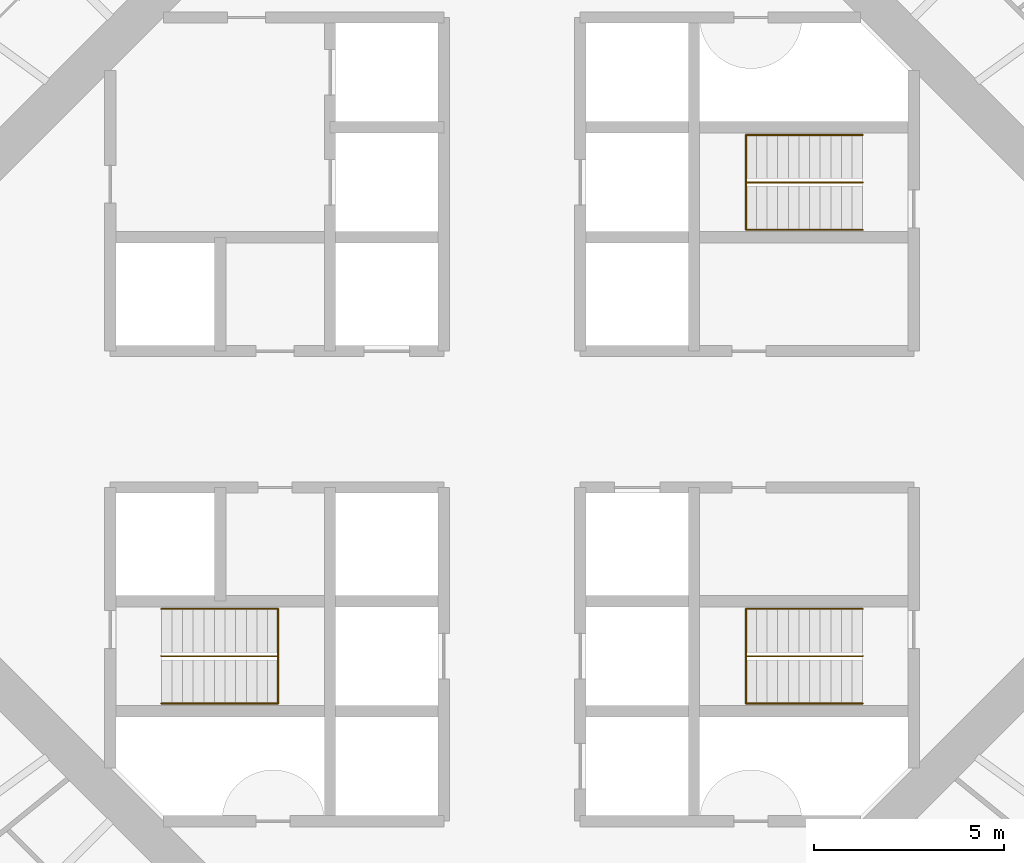
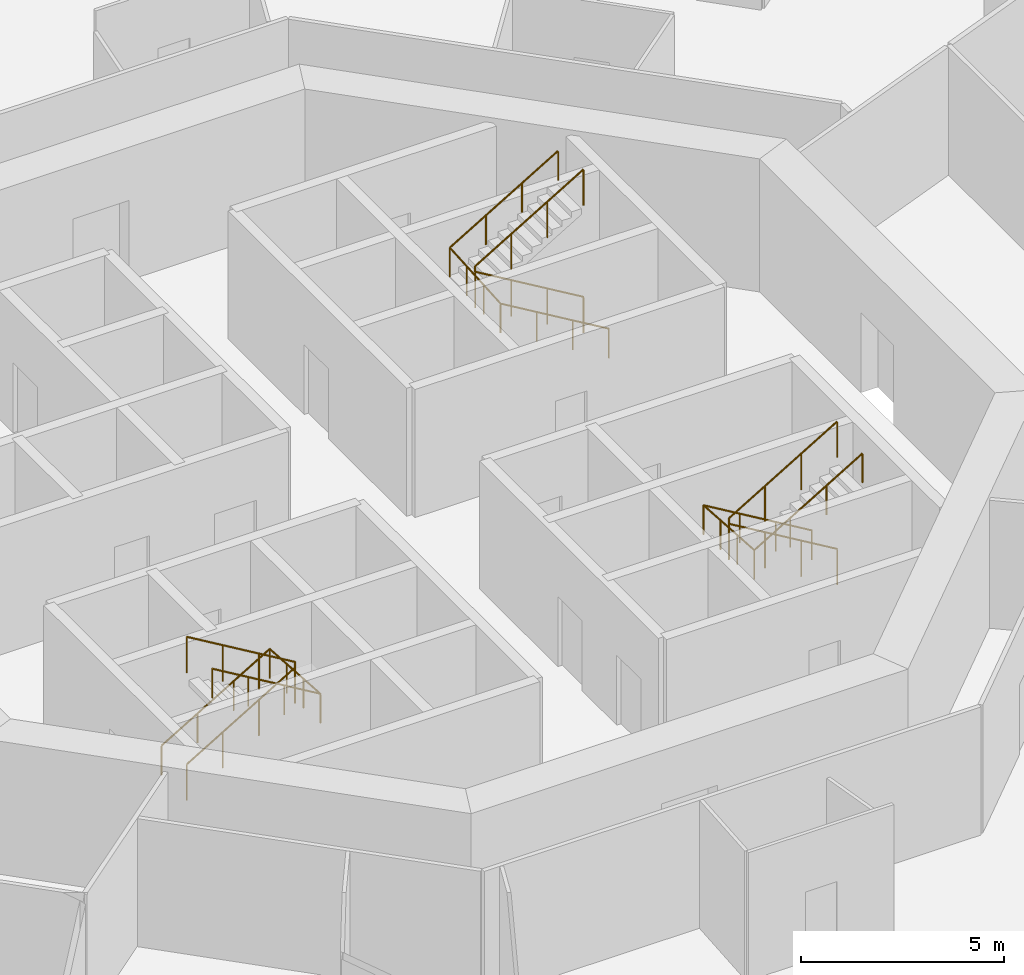
# One storey, part 12 of 12: 6 railings.
"""IFC4 building model written with IfcOpenShell, lengths in metres."""

from ifc_helpers import new_model, si_unit, direction, frame, origin, origin_2d, place, context, subcontext, project, spatial, circle, extrude, material, type_object, element, save


model = new_model("IFC4")

# Units and contexts
model_context = context("Model", 3, precision=1e-05, world=origin(), true_north=direction((0.0, 1.0)))
body_context = subcontext(model_context, "Body", "Model", "MODEL_VIEW")
ifc_project = project(units=[si_unit("LENGTHUNIT", "METRE"), si_unit("AREAUNIT", "SQUARE_METRE"), si_unit("VOLUMEUNIT", "CUBIC_METRE"), si_unit("PLANEANGLEUNIT", "RADIAN"), si_unit("MASSUNIT", "GRAM", prefix="KILO")], contexts=[model_context])

# Site, building, storey
site_placement = place(None, origin())
site = spatial("IfcSite", under=ifc_project, at=site_placement, CompositionType="ELEMENT")
building_placement = place(site_placement, origin())
building = spatial("IfcBuilding", under=site, at=building_placement, Name="Entoto Ring Tower", CompositionType="ELEMENT")
storey_placement = place(building_placement, frame((0.0, 0.0, 196.0)))
storey = spatial("IfcBuildingStorey", under=building, at=storey_placement, Name="L45", CompositionType="ELEMENT", Elevation=196.0)

# Railings
ifc_material_1 = material(Name="Steel S275", Category="steel")
railing_type_1 = type_object("IfcRailingType", Name="Stair guard 1100 mm steel", PredefinedType="GUARDRAIL", material=ifc_material_1)
railing_1_placement = place(storey_placement, frame((99.25, 86.25, 0.166748046875)))
element("IfcRailing", 1, at=railing_1_placement, inside=storey, type_object=railing_type_1, Name="Guard ST1", PredefinedType="GUARDRAIL", context=body_context, shape_type="SweptSolid", body=[
    extrude(circle(Radius=0.02392578125, at=origin_2d()), frame((0.0, 0.0, 1.076171875), z_axis=(-0.859308565015, 0.0, 0.511457515432), x_axis=(0.0, -1.0, 0.0)), (0.0, 0.0, 1.0), 3.58447265625),
    extrude(circle(Radius=0.02392578125, at=origin_2d()), frame((-3.080078125, 0.0, 2.9091796875), z_axis=(0.0, 0.0, 1.0), x_axis=(1.0, 0.0, 0.0)), (0.0, 0.0, 1.0), 0.166748046875),
    extrude(circle(Radius=0.02392578125, at=origin_2d()), frame((-3.080078125, 0.0, 3.076171875), z_axis=(0.859308565015, 0.0, 0.511457515432), x_axis=(0.0, 1.0, 0.0)), (0.0, 0.0, 1.0), 3.58447265625),
    extrude(circle(Radius=0.02099609375, at=origin_2d()), origin(), (0.0, 0.0, 1.0), 1.052001953125),
    extrude(circle(Radius=0.02099609375, at=origin_2d()), frame((-1.026611328125, 0.0, 0.611083984375)), (0.0, 0.0, 1.0), 1.052001953125),
    extrude(circle(Radius=0.02099609375, at=origin_2d()), frame((-2.053466796875, 0.0, 1.22216796875)), (0.0, 0.0, 1.0), 1.052001953125),
    extrude(circle(Radius=0.02099609375, at=origin_2d()), frame((-3.080078125, 0.0, 1.833251953125)), (0.0, 0.0, 1.0), 1.052001953125),
    extrude(circle(Radius=0.02099609375, at=origin_2d()), frame((-3.080078125, 0.0, 2.0)), (0.0, 0.0, 1.0), 1.052001953125),
    extrude(circle(Radius=0.02099609375, at=origin_2d()), frame((-2.053466796875, 0.0, 2.611083984375)), (0.0, 0.0, 1.0), 1.052001953125),
    extrude(circle(Radius=0.02099609375, at=origin_2d()), frame((-1.026611328125, 0.0, 3.22216796875)), (0.0, 0.0, 1.0), 1.052001953125),
    extrude(circle(Radius=0.02099609375, at=origin_2d()), frame((0.0, 0.0, 3.833251953125)), (0.0, 0.0, 1.0), 1.052001953125),
])
railing_2_placement = place(storey_placement, frame((80.75, 73.75, 0.166748046875)))
element("IfcRailing", 2, at=railing_2_placement, inside=storey, type_object=railing_type_1, Name="Guard ST2", PredefinedType="GUARDRAIL", context=body_context, shape_type="SweptSolid", body=[
    extrude(circle(Radius=0.02392578125, at=origin_2d()), frame((0.0, 0.0, 1.076171875), z_axis=(0.859308565015, 0.0, 0.511457515432), x_axis=(0.0, 1.0, 0.0)), (0.0, 0.0, 1.0), 3.58447265625),
    extrude(circle(Radius=0.02392578125, at=origin_2d()), frame((3.080078125, 0.0, 2.9091796875), z_axis=(0.0, 0.0, 1.0), x_axis=(1.0, 0.0, 0.0)), (0.0, 0.0, 1.0), 0.166748046875),
    extrude(circle(Radius=0.02392578125, at=origin_2d()), frame((3.080078125, 0.0, 3.076171875), z_axis=(-0.859308565015, 0.0, 0.511457515432), x_axis=(0.0, -1.0, 0.0)), (0.0, 0.0, 1.0), 3.58447265625),
    extrude(circle(Radius=0.02099609375, at=origin_2d()), origin(), (0.0, 0.0, 1.0), 1.052001953125),
    extrude(circle(Radius=0.02099609375, at=origin_2d()), frame((1.026611328125, 0.0, 0.611083984375)), (0.0, 0.0, 1.0), 1.052001953125),
    extrude(circle(Radius=0.02099609375, at=origin_2d()), frame((2.053466796875, 0.0, 1.22216796875)), (0.0, 0.0, 1.0), 1.052001953125),
    extrude(circle(Radius=0.02099609375, at=origin_2d()), frame((3.080078125, 0.0, 1.833251953125)), (0.0, 0.0, 1.0), 1.052001953125),
    extrude(circle(Radius=0.02099609375, at=origin_2d()), frame((3.080078125, 0.0, 2.0)), (0.0, 0.0, 1.0), 1.052001953125),
    extrude(circle(Radius=0.02099609375, at=origin_2d()), frame((2.053466796875, 0.0, 2.611083984375)), (0.0, 0.0, 1.0), 1.052001953125),
    extrude(circle(Radius=0.02099609375, at=origin_2d()), frame((1.026611328125, 0.0, 3.22216796875)), (0.0, 0.0, 1.0), 1.052001953125),
    extrude(circle(Radius=0.02099609375, at=origin_2d()), frame((0.0, 0.0, 3.833251953125)), (0.0, 0.0, 1.0), 1.052001953125),
])
railing_3_placement = place(storey_placement, frame((99.25, 73.75, 0.166748046875)))
element("IfcRailing", 3, at=railing_3_placement, inside=storey, type_object=railing_type_1, Name="Guard ST3", PredefinedType="GUARDRAIL", context=body_context, shape_type="SweptSolid", body=[
    extrude(circle(Radius=0.02392578125, at=origin_2d()), frame((0.0, 0.0, 1.076171875), z_axis=(-0.859308565015, 0.0, 0.511457515432), x_axis=(0.0, -1.0, 0.0)), (0.0, 0.0, 1.0), 3.58447265625),
    extrude(circle(Radius=0.02392578125, at=origin_2d()), frame((-3.080078125, 0.0, 2.9091796875), z_axis=(0.0, 0.0, 1.0), x_axis=(1.0, 0.0, 0.0)), (0.0, 0.0, 1.0), 0.166748046875),
    extrude(circle(Radius=0.02392578125, at=origin_2d()), frame((-3.080078125, 0.0, 3.076171875), z_axis=(0.859308565015, 0.0, 0.511457515432), x_axis=(0.0, 1.0, 0.0)), (0.0, 0.0, 1.0), 3.58447265625),
    extrude(circle(Radius=0.02099609375, at=origin_2d()), origin(), (0.0, 0.0, 1.0), 1.052001953125),
    extrude(circle(Radius=0.02099609375, at=origin_2d()), frame((-1.026611328125, 0.0, 0.611083984375)), (0.0, 0.0, 1.0), 1.052001953125),
    extrude(circle(Radius=0.02099609375, at=origin_2d()), frame((-2.053466796875, 0.0, 1.22216796875)), (0.0, 0.0, 1.0), 1.052001953125),
    extrude(circle(Radius=0.02099609375, at=origin_2d()), frame((-3.080078125, 0.0, 1.833251953125)), (0.0, 0.0, 1.0), 1.052001953125),
    extrude(circle(Radius=0.02099609375, at=origin_2d()), frame((-3.080078125, 0.0, 2.0)), (0.0, 0.0, 1.0), 1.052001953125),
    extrude(circle(Radius=0.02099609375, at=origin_2d()), frame((-2.053466796875, 0.0, 2.611083984375)), (0.0, 0.0, 1.0), 1.052001953125),
    extrude(circle(Radius=0.02099609375, at=origin_2d()), frame((-1.026611328125, 0.0, 3.22216796875)), (0.0, 0.0, 1.0), 1.052001953125),
    extrude(circle(Radius=0.02099609375, at=origin_2d()), frame((0.0, 0.0, 3.833251953125)), (0.0, 0.0, 1.0), 1.052001953125),
])
ifc_material_2 = material(Name="Steel S275", Category="steel")
railing_type_2 = type_object("IfcRailingType", Name="Stair handrail 900 mm steel", PredefinedType="HANDRAIL", material=ifc_material_2)
railing_4_placement = place(storey_placement, frame((99.25, 85.0, 0.166748046875)))
element("IfcRailing", 4, at=railing_4_placement, inside=storey, type_object=railing_type_2, Name="Handrail ST1", PredefinedType="HANDRAIL", context=body_context, shape_type="SweptSolid", body=[
    extrude(circle(Radius=0.02392578125, at=origin_2d()), frame((0.0, 0.0, 0.8759765625), z_axis=(-0.859308565015, 0.0, 0.511457515432), x_axis=(0.0, -1.0, 0.0)), (0.0, 0.0, 1.0), 3.58447265625),
    extrude(circle(Radius=0.02392578125, at=origin_2d()), frame((-3.080078125, 0.0, 2.708984375), z_axis=(0.0, 0.997783001586, 0.066551346688), x_axis=(-1.0, 0.0, 0.0)), (0.0, 0.0, 1.0), 2.505615234375),
    extrude(circle(Radius=0.02392578125, at=origin_2d()), frame((-3.080078125, 2.5, 2.8759765625), z_axis=(0.859308565015, 0.0, 0.511457515432), x_axis=(0.0, 1.0, 0.0)), (0.0, 0.0, 1.0), 3.58447265625),
    extrude(circle(Radius=0.02099609375, at=origin_2d()), origin(), (0.0, 0.0, 1.0), 0.851806640625),
    extrude(circle(Radius=0.02099609375, at=origin_2d()), frame((-1.026611328125, 0.0, 0.611083984375)), (0.0, 0.0, 1.0), 0.851806640625),
    extrude(circle(Radius=0.02099609375, at=origin_2d()), frame((-2.053466796875, 0.0, 1.22216796875)), (0.0, 0.0, 1.0), 0.851806640625),
    extrude(circle(Radius=0.02099609375, at=origin_2d()), frame((-3.080078125, 0.0, 1.833251953125)), (0.0, 0.0, 1.0), 0.851806640625),
    extrude(circle(Radius=0.02099609375, at=origin_2d()), frame((-3.080078125, 0.833251953125, 1.888916015625)), (0.0, 0.0, 1.0), 0.851806640625),
    extrude(circle(Radius=0.02099609375, at=origin_2d()), frame((-3.080078125, 1.666748046875, 1.9443359375)), (0.0, 0.0, 1.0), 0.851806640625),
    extrude(circle(Radius=0.02099609375, at=origin_2d()), frame((-3.080078125, 2.5, 2.0)), (0.0, 0.0, 1.0), 0.851806640625),
    extrude(circle(Radius=0.02099609375, at=origin_2d()), frame((-2.053466796875, 2.5, 2.611083984375)), (0.0, 0.0, 1.0), 0.851806640625),
    extrude(circle(Radius=0.02099609375, at=origin_2d()), frame((-1.026611328125, 2.5, 3.22216796875)), (0.0, 0.0, 1.0), 0.851806640625),
    extrude(circle(Radius=0.02099609375, at=origin_2d()), frame((0.0, 2.5, 3.833251953125)), (0.0, 0.0, 1.0), 0.851806640625),
])
railing_5_placement = place(storey_placement, frame((80.75, 75.0, 0.166748046875)))
element("IfcRailing", 5, at=railing_5_placement, inside=storey, type_object=railing_type_2, Name="Handrail ST2", PredefinedType="HANDRAIL", context=body_context, shape_type="SweptSolid", body=[
    extrude(circle(Radius=0.02392578125, at=origin_2d()), frame((0.0, 0.0, 0.8759765625), z_axis=(0.859308565015, 0.0, 0.511457515432), x_axis=(0.0, 1.0, 0.0)), (0.0, 0.0, 1.0), 3.58447265625),
    extrude(circle(Radius=0.02392578125, at=origin_2d()), frame((3.080078125, 0.0, 2.708984375), z_axis=(0.0, -0.997783001586, 0.066551346688), x_axis=(1.0, 0.0, 0.0)), (0.0, 0.0, 1.0), 2.505615234375),
    extrude(circle(Radius=0.02392578125, at=origin_2d()), frame((3.080078125, -2.5, 2.8759765625), z_axis=(-0.859308565015, 0.0, 0.511457515432), x_axis=(0.0, -1.0, 0.0)), (0.0, 0.0, 1.0), 3.58447265625),
    extrude(circle(Radius=0.02099609375, at=origin_2d()), origin(), (0.0, 0.0, 1.0), 0.851806640625),
    extrude(circle(Radius=0.02099609375, at=origin_2d()), frame((1.026611328125, 0.0, 0.611083984375)), (0.0, 0.0, 1.0), 0.851806640625),
    extrude(circle(Radius=0.02099609375, at=origin_2d()), frame((2.053466796875, 0.0, 1.22216796875)), (0.0, 0.0, 1.0), 0.851806640625),
    extrude(circle(Radius=0.02099609375, at=origin_2d()), frame((3.080078125, 0.0, 1.833251953125)), (0.0, 0.0, 1.0), 0.851806640625),
    extrude(circle(Radius=0.02099609375, at=origin_2d()), frame((3.080078125, -0.833251953125, 1.888916015625)), (0.0, 0.0, 1.0), 0.851806640625),
    extrude(circle(Radius=0.02099609375, at=origin_2d()), frame((3.080078125, -1.666748046875, 1.9443359375)), (0.0, 0.0, 1.0), 0.851806640625),
    extrude(circle(Radius=0.02099609375, at=origin_2d()), frame((3.080078125, -2.5, 2.0)), (0.0, 0.0, 1.0), 0.851806640625),
    extrude(circle(Radius=0.02099609375, at=origin_2d()), frame((2.053466796875, -2.5, 2.611083984375)), (0.0, 0.0, 1.0), 0.851806640625),
    extrude(circle(Radius=0.02099609375, at=origin_2d()), frame((1.026611328125, -2.5, 3.22216796875)), (0.0, 0.0, 1.0), 0.851806640625),
    extrude(circle(Radius=0.02099609375, at=origin_2d()), frame((0.0, -2.5, 3.833251953125)), (0.0, 0.0, 1.0), 0.851806640625),
])
railing_6_placement = place(storey_placement, frame((99.25, 75.0, 0.166748046875)))
element("IfcRailing", 6, at=railing_6_placement, inside=storey, type_object=railing_type_2, Name="Handrail ST3", PredefinedType="HANDRAIL", context=body_context, shape_type="SweptSolid", body=[
    extrude(circle(Radius=0.02392578125, at=origin_2d()), frame((0.0, 0.0, 0.8759765625), z_axis=(-0.859308565015, 0.0, 0.511457515432), x_axis=(0.0, -1.0, 0.0)), (0.0, 0.0, 1.0), 3.58447265625),
    extrude(circle(Radius=0.02392578125, at=origin_2d()), frame((-3.080078125, 0.0, 2.708984375), z_axis=(0.0, -0.997783001586, 0.066551346688), x_axis=(1.0, 0.0, 0.0)), (0.0, 0.0, 1.0), 2.505615234375),
    extrude(circle(Radius=0.02392578125, at=origin_2d()), frame((-3.080078125, -2.5, 2.8759765625), z_axis=(0.859308565015, 0.0, 0.511457515432), x_axis=(0.0, 1.0, 0.0)), (0.0, 0.0, 1.0), 3.58447265625),
    extrude(circle(Radius=0.02099609375, at=origin_2d()), origin(), (0.0, 0.0, 1.0), 0.851806640625),
    extrude(circle(Radius=0.02099609375, at=origin_2d()), frame((-1.026611328125, 0.0, 0.611083984375)), (0.0, 0.0, 1.0), 0.851806640625),
    extrude(circle(Radius=0.02099609375, at=origin_2d()), frame((-2.053466796875, 0.0, 1.22216796875)), (0.0, 0.0, 1.0), 0.851806640625),
    extrude(circle(Radius=0.02099609375, at=origin_2d()), frame((-3.080078125, 0.0, 1.833251953125)), (0.0, 0.0, 1.0), 0.851806640625),
    extrude(circle(Radius=0.02099609375, at=origin_2d()), frame((-3.080078125, -0.833251953125, 1.888916015625)), (0.0, 0.0, 1.0), 0.851806640625),
    extrude(circle(Radius=0.02099609375, at=origin_2d()), frame((-3.080078125, -1.666748046875, 1.9443359375)), (0.0, 0.0, 1.0), 0.851806640625),
    extrude(circle(Radius=0.02099609375, at=origin_2d()), frame((-3.080078125, -2.5, 2.0)), (0.0, 0.0, 1.0), 0.851806640625),
    extrude(circle(Radius=0.02099609375, at=origin_2d()), frame((-2.053466796875, -2.5, 2.611083984375)), (0.0, 0.0, 1.0), 0.851806640625),
    extrude(circle(Radius=0.02099609375, at=origin_2d()), frame((-1.026611328125, -2.5, 3.22216796875)), (0.0, 0.0, 1.0), 0.851806640625),
    extrude(circle(Radius=0.02099609375, at=origin_2d()), frame((0.0, -2.5, 3.833251953125)), (0.0, 0.0, 1.0), 0.851806640625),
])

save(model, "model.ifc")
